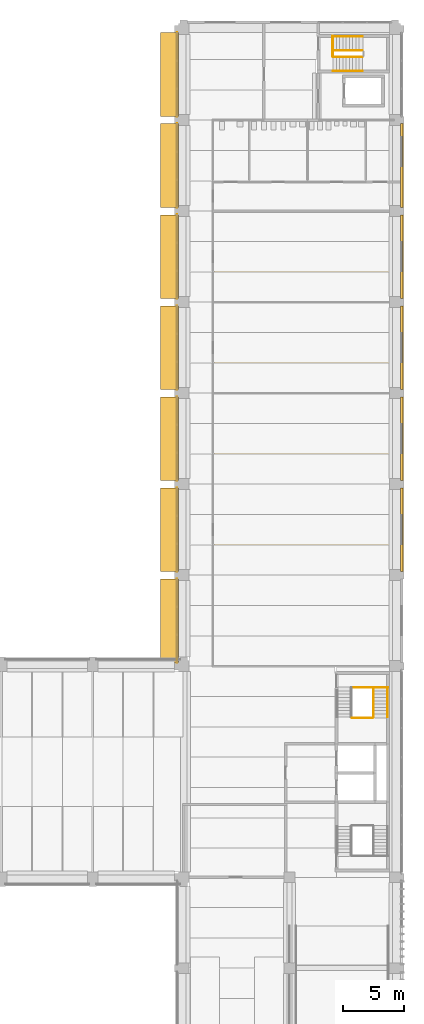
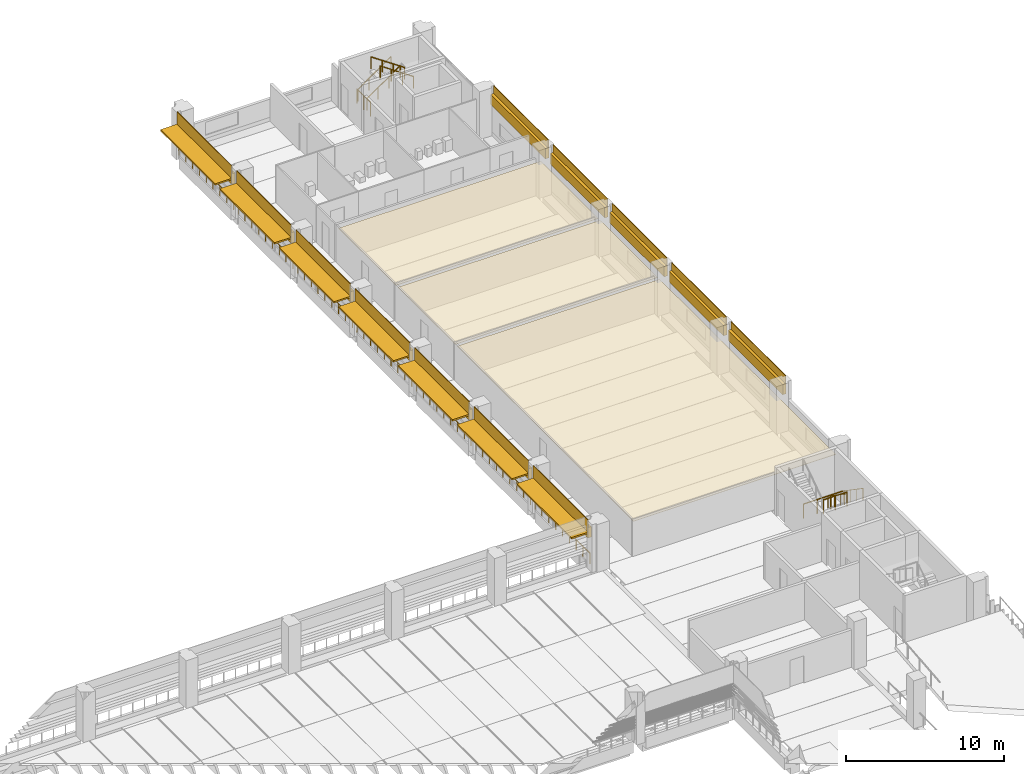
# One storey, part 51 of 57: 16 railings, 15 coverings, 7 shading devices.
"""IFC4 building model written with IfcOpenShell, lengths in metres."""

from ifc_helpers import new_model, si_unit, direction, frame, origin, origin_2d, place, context, subcontext, project, spatial, polyline, circle, outline, extrude, material, layer, layer_set, type_object, element, save


model = new_model("IFC4")

# Units and contexts
model_context = context("Model", 3, precision=1e-05, world=origin(), true_north=direction((0.0, 1.0)))
body_context = subcontext(model_context, "Body", "Model", "MODEL_VIEW")
ifc_project = project(units=[si_unit("LENGTHUNIT", "METRE"), si_unit("AREAUNIT", "SQUARE_METRE"), si_unit("VOLUMEUNIT", "CUBIC_METRE"), si_unit("PLANEANGLEUNIT", "RADIAN"), si_unit("MASSUNIT", "GRAM", prefix="KILO")], contexts=[model_context])

# Site, building, storey
site_placement = place(None, origin())
site = spatial("IfcSite", under=ifc_project, at=site_placement, CompositionType="ELEMENT")
building_placement = place(site_placement, origin())
building = spatial("IfcBuilding", under=site, at=building_placement, Name="Cour d'Honneur Mobility Palace", CompositionType="ELEMENT")
storey_placement = place(building_placement, frame((0.0, 0.0, 8.199951171875)))
storey = spatial("IfcBuildingStorey", under=building, at=storey_placement, Name="L02", CompositionType="ELEMENT", Elevation=8.199951171875)

# Railings
ifc_material_1 = material(Name="Painted steel", Category="steel")
railing_type_1 = type_object("IfcRailingType", Name="Balustrade", PredefinedType="BALUSTRADE", material=ifc_material_1)
for number, where, name in (
    (1, (144.35009765625, 114.60009765625, 0.300048828125), "Balustrade BAL-98"),
    (2, (144.35009765625, 107.10009765625, 0.300048828125), "Balustrade BAL-99"),
    (3, (144.35009765625, 99.60009765625, 0.300048828125), "Balustrade BAL-100"),
    (4, (144.35009765625, 92.10009765625, 0.300048828125), "Balustrade BAL-101"),
    (5, (144.35009765625, 84.60009765625, 0.300048828125), "Balustrade BAL-102"),
    (6, (144.35009765625, 77.10009765625, 0.300048828125), "Balustrade BAL-103"),
    (7, (144.35009765625, 69.60009765625, 0.300048828125), "Balustrade BAL-104"),
):
    element("IfcRailing", number, at=place(storey_placement, frame(where)), inside=storey, type_object=railing_type_1, Name=name, PredefinedType="BALUSTRADE", context=body_context, shape_type="SweptSolid", body=[
        extrude(circle(Radius=0.02392578125, at=origin_2d()), frame((0.0, 0.0, 0.77587890625), z_axis=(0.0, -1.0, 0.0), x_axis=(1.0, 0.0, 0.0)), (0.0, 0.0, 1.0), 6.900146484375),
        extrude(circle(Radius=0.02099609375, at=origin_2d()), origin(), (0.0, 0.0, 1.0), 0.751953125),
        extrude(circle(Radius=0.02099609375, at=origin_2d()), frame((0.0, -0.862548828125, 0.0)), (0.0, 0.0, 1.0), 0.751953125),
        extrude(circle(Radius=0.02099609375, at=origin_2d()), frame((0.0, -1.72509765625, 0.0)), (0.0, 0.0, 1.0), 0.751953125),
        extrude(circle(Radius=0.02099609375, at=origin_2d()), frame((0.0, -2.587646484375, 0.0)), (0.0, 0.0, 1.0), 0.751953125),
        extrude(circle(Radius=0.02099609375, at=origin_2d()), frame((0.0, -3.4501953125, 0.0)), (0.0, 0.0, 1.0), 0.751953125),
        extrude(circle(Radius=0.02099609375, at=origin_2d()), frame((0.0, -4.3125, 0.0)), (0.0, 0.0, 1.0), 0.751953125),
        extrude(circle(Radius=0.02099609375, at=origin_2d()), frame((0.0, -5.175048828125, 0.0)), (0.0, 0.0, 1.0), 0.751953125),
        extrude(circle(Radius=0.02099609375, at=origin_2d()), frame((0.0, -6.03759765625, 0.0)), (0.0, 0.0, 1.0), 0.751953125),
        extrude(circle(Radius=0.02099609375, at=origin_2d()), frame((0.0, -6.900146484375, 0.0)), (0.0, 0.0, 1.0), 0.751953125),
    ])
ifc_material_2 = material(Name="Painted steel", Category="steel")
railing_type_2 = type_object("IfcRailingType", Name="Guardrail 1100", PredefinedType="GUARDRAIL", material=ifc_material_2)
railing_1_placement = place(storey_placement, frame((158.75, 60.64501953125, 0.0)))
element("IfcRailing", 8, at=railing_1_placement, inside=storey, type_object=railing_type_2, Name="Guard ST-CE2", PredefinedType="GUARDRAIL", context=body_context, shape_type="SweptSolid", body=[
    extrude(circle(Radius=0.02490234375, at=origin_2d()), frame((0.0, 0.0, 1.0751953125), z_axis=(1.0, 0.0, 0.0), x_axis=(0.0, 1.0, 0.0)), (0.0, 0.0, 1.0), 2.97509765625),
    extrude(circle(Radius=0.02099609375, at=origin_2d()), origin(), (0.0, 0.0, 1.0), 1.050048828125),
    extrude(circle(Radius=0.02099609375, at=origin_2d()), frame((0.99169921875, 0.0, 0.0)), (0.0, 0.0, 1.0), 1.050048828125),
    extrude(circle(Radius=0.02099609375, at=origin_2d()), frame((1.9833984375, 0.0, 0.0)), (0.0, 0.0, 1.0), 1.050048828125),
    extrude(circle(Radius=0.02099609375, at=origin_2d()), frame((2.97509765625, 0.0, 0.0)), (0.0, 0.0, 1.0), 1.050048828125),
])
railing_2_placement = place(storey_placement, frame((158.75, 58.135009765625, 1.85009765625)))
element("IfcRailing", 9, at=railing_2_placement, inside=storey, type_object=railing_type_2, Name="Landing guard ST-CE2", PredefinedType="GUARDRAIL", context=body_context, shape_type="SweptSolid", body=[
    extrude(circle(Radius=0.02490234375, at=origin_2d()), frame((0.0, 0.0, 1.0751953125), z_axis=(1.0, 0.0, 0.0), x_axis=(0.0, 1.0, 0.0)), (0.0, 0.0, 1.0), 1.72509765625),
    extrude(circle(Radius=0.02099609375, at=origin_2d()), origin(), (0.0, 0.0, 1.0), 1.050048828125),
    extrude(circle(Radius=0.02099609375, at=origin_2d()), frame((0.862548828125, 0.0, 0.0)), (0.0, 0.0, 1.0), 1.050048828125),
    extrude(circle(Radius=0.02099609375, at=origin_2d()), frame((1.72509765625, 0.0, 0.0)), (0.0, 0.0, 1.0), 1.050048828125),
])
railing_3_placement = place(storey_placement, frame((157.179931640625, 112.64990234375, 0.0)))
element("IfcRailing", 10, at=railing_3_placement, inside=storey, type_object=railing_type_2, Name="Guard ST-NE1", PredefinedType="GUARDRAIL", context=body_context, shape_type="SweptSolid", body=[
    extrude(circle(Radius=0.02490234375, at=origin_2d()), frame((0.0, 0.0, 1.0751953125), z_axis=(0.0, 1.0, 0.0), x_axis=(-1.0, 0.0, 0.0)), (0.0, 0.0, 1.0), 1.675048828125),
    extrude(circle(Radius=0.02099609375, at=origin_2d()), origin(), (0.0, 0.0, 1.0), 1.050048828125),
    extrude(circle(Radius=0.02099609375, at=origin_2d()), frame((0.0, 0.83740234375, 0.0)), (0.0, 0.0, 1.0), 1.050048828125),
    extrude(circle(Radius=0.02099609375, at=origin_2d()), frame((0.0, 1.675048828125, 0.0)), (0.0, 0.0, 1.0), 1.050048828125),
])
ifc_material_3 = material(Name="Stainless steel", Category="steel")
railing_type_3 = type_object("IfcRailingType", Name="Handrail round 50", PredefinedType="HANDRAIL", material=ifc_material_3)
for number, where, name in (
    (11, (161.675048828125, 60.625, 0.18505859375), "Handrail ST-CE2"),
    (12, (160.52490234375, 60.625, 0.18505859375), "Handrail ST-CE2"),
):
    element("IfcRailing", number, at=place(storey_placement, frame(where)), inside=storey, type_object=railing_type_3, Name=name, PredefinedType="HANDRAIL", context=body_context, shape_type="SweptSolid", body=[
        extrude(circle(Radius=0.02490234375, at=origin_2d()), frame((0.0, 0.0, 0.89501953125), z_axis=(0.0, -0.8249187745, 0.56525128525), x_axis=(1.0, 0.0, 0.0)), (0.0, 0.0, 1.0), 2.945556640625),
        extrude(circle(Radius=0.02099609375, at=origin_2d()), origin(), (0.0, 0.0, 1.0), 0.869873046875),
        extrude(circle(Radius=0.02099609375, at=origin_2d()), frame((0.0, -0.81005859375, 0.554931640625)), (0.0, 0.0, 1.0), 0.869873046875),
        extrude(circle(Radius=0.02099609375, at=origin_2d()), frame((0.0, -1.619873046875, 1.110107421875)), (0.0, 0.0, 1.0), 0.869873046875),
        extrude(circle(Radius=0.02099609375, at=origin_2d()), frame((0.0, -2.429931640625, 1.6650390625)), (0.0, 0.0, 1.0), 0.869873046875),
    ])
for number, where, name in (
    (13, (157.199951171875, 114.27490234375, 0.18505859375), "Handrail ST-NE1"),
    (14, (157.199951171875, 113.125, 0.18505859375), "Handrail ST-NE1"),
):
    element("IfcRailing", number, at=place(storey_placement, frame(where)), inside=storey, type_object=railing_type_3, Name=name, PredefinedType="HANDRAIL", context=body_context, shape_type="SweptSolid", body=[
        extrude(circle(Radius=0.02490234375, at=origin_2d()), frame((0.0, 0.0, 0.89501953125), z_axis=(0.8249187745, 0.0, 0.56525128525), x_axis=(0.0, 1.0, 0.0)), (0.0, 0.0, 1.0), 2.945556640625),
        extrude(circle(Radius=0.02099609375, at=origin_2d()), origin(), (0.0, 0.0, 1.0), 0.869873046875),
        extrude(circle(Radius=0.02099609375, at=origin_2d()), frame((0.81005859375, 0.0, 0.554931640625)), (0.0, 0.0, 1.0), 0.869873046875),
        extrude(circle(Radius=0.02099609375, at=origin_2d()), frame((1.619873046875, 0.0, 1.110107421875)), (0.0, 0.0, 1.0), 0.869873046875),
        extrude(circle(Radius=0.02099609375, at=origin_2d()), frame((2.429931640625, 0.0, 1.6650390625)), (0.0, 0.0, 1.0), 0.869873046875),
    ])
for number, where, name in (
    (15, (159.6298828125, 112.60009765625, 2.03515625), "Handrail ST-NE1"),
    (16, (159.6298828125, 111.449951171875, 2.03515625), "Handrail ST-NE1"),
):
    element("IfcRailing", number, at=place(storey_placement, frame(where)), inside=storey, type_object=railing_type_3, Name=name, PredefinedType="HANDRAIL", context=body_context, shape_type="SweptSolid", body=[
        extrude(circle(Radius=0.02490234375, at=origin_2d()), frame((0.0, 0.0, 0.89501953125), z_axis=(-0.824957420862, 0.0, 0.565194881227), x_axis=(0.0, -1.0, 0.0)), (0.0, 0.0, 1.0), 2.945556640625),
        extrude(circle(Radius=0.02099609375, at=origin_2d()), origin(), (0.0, 0.0, 1.0), 0.869873046875),
        extrude(circle(Radius=0.02099609375, at=origin_2d()), frame((-0.81005859375, 0.0, 0.554931640625)), (0.0, 0.0, 1.0), 0.869873046875),
        extrude(circle(Radius=0.02099609375, at=origin_2d()), frame((-1.619873046875, 0.0, 1.10986328125)), (0.0, 0.0, 1.0), 0.869873046875),
        extrude(circle(Radius=0.02099609375, at=origin_2d()), frame((-2.429931640625, 0.0, 1.664794921875)), (0.0, 0.0, 1.0), 0.869873046875),
    ])

# Coverings
ifc_material_4 = material(Name="Cast limestone", Category="masonry")
ifc_layer_1 = layer(ifc_material_4, 0.25)
ifc_layer_set_1 = layer_set([ifc_layer_1], Name="Cast limestone")
covering_type_1 = type_object("IfcCoveringType", Name="Spandrel cladding", PredefinedType="CLADDING", material=ifc_layer_set_1)
for number, where, z_axis, x_axis, name in (
    (17, (162.75, 70.199951171875, 2.300048828125), (0.0, -1.0, 0.0), (1.0, 0.0, 0.0), "Spandrel cladding SK-164"),
    (18, (162.75, 77.699951171875, 2.300048828125), (0.0, -1.0, 0.0), (1.0, 0.0, 0.0), "Spandrel cladding SK-165"),
    (19, (162.75, 85.199951171875, 2.300048828125), (0.0, -1.0, 0.0), (1.0, 0.0, 0.0), "Spandrel cladding SK-166"),
    (20, (162.75, 92.699951171875, 2.300048828125), (0.0, -1.0, 0.0), (1.0, 0.0, 0.0), "Spandrel cladding SK-167"),
    (21, (162.75, 100.199951171875, 2.300048828125), (0.0, -1.0, 0.0), (1.0, 0.0, 0.0), "Spandrel cladding SK-168"),
    (22, (144.449951171875, 114.60009765625, 2.300048828125), (0.0, 1.0, 0.0), (-1.0, 0.0, 0.0), "Spandrel cladding SK-169"),
    (23, (144.449951171875, 107.10009765625, 2.300048828125), (0.0, 1.0, 0.0), (-1.0, 0.0, 0.0), "Spandrel cladding SK-170"),
    (24, (144.449951171875, 99.60009765625, 2.300048828125), (0.0, 1.0, 0.0), (-1.0, 0.0, 0.0), "Spandrel cladding SK-171"),
    (25, (144.449951171875, 92.10009765625, 2.300048828125), (0.0, 1.0, 0.0), (-1.0, 0.0, 0.0), "Spandrel cladding SK-172"),
    (26, (144.449951171875, 84.60009765625, 2.300048828125), (0.0, 1.0, 0.0), (-1.0, 0.0, 0.0), "Spandrel cladding SK-173"),
    (27, (144.449951171875, 77.10009765625, 2.300048828125), (0.0, 1.0, 0.0), (-1.0, 0.0, 0.0), "Spandrel cladding SK-174"),
    (28, (144.449951171875, 69.60009765625, 2.300048828125), (0.0, 1.0, 0.0), (-1.0, 0.0, 0.0), "Spandrel cladding SK-175"),
):
    element("IfcCovering", number, at=place(storey_placement, frame(where, z_axis=z_axis, x_axis=x_axis)), inside=storey, type_object=covering_type_1, Name=name, PredefinedType="CLADDING", context=body_context, shape_type="SweptSolid", body=[
        extrude(outline(polyline([(0.0, 0.0), (0.25, 0.0), (0.25, 1.39990234375), (0.199951171875, 1.39990234375), (0.199951171875, 0.800048828125), (0.0, 0.800048828125), (0.0, 0.0)])), origin(), (0.0, 0.0, -1.0), 6.89990234375),
    ])

# Shading devices
ifc_material_5 = material(Name="Anodised aluminium", Category="aluminium")
ifc_layer_2 = layer(ifc_material_5, 0.1201171875)
ifc_layer_set_2 = layer_set([ifc_layer_2], Name="Anodised aluminium")
shading_device_type = type_object("IfcShadingDeviceType", Name="Sunshade 1200", PredefinedType="AWNING", material=ifc_layer_set_2)
shading_device_1_placement = place(storey_placement, frame((0.0, 0.0, 2.630126953125)))
element("IfcShadingDevice", 29, at=shading_device_1_placement, inside=storey, type_object=shading_device_type, Name="Sunshade W7.0 L02", PredefinedType="AWNING", context=body_context, shape_type="SweptSolid", body=[
    extrude(outline(polyline([(144.199951171875, 114.60009765625), (144.199951171875, 107.699951171875), (143.0, 107.699951171875), (143.0, 114.60009765625), (144.199951171875, 114.60009765625)])), origin(), (0.0, 0.0, 1.0), 0.119873046875),
])
shading_device_2_placement = place(storey_placement, frame((0.0, 0.0, 2.630126953125)))
element("IfcShadingDevice", 30, at=shading_device_2_placement, inside=storey, type_object=shading_device_type, Name="Sunshade W7.1 L02", PredefinedType="AWNING", context=body_context, shape_type="SweptSolid", body=[
    extrude(outline(polyline([(144.199951171875, 107.10009765625), (144.199951171875, 100.199951171875), (143.0, 100.199951171875), (143.0, 107.10009765625), (144.199951171875, 107.10009765625)])), origin(), (0.0, 0.0, 1.0), 0.119873046875),
])
shading_device_3_placement = place(storey_placement, frame((0.0, 0.0, 2.630126953125)))
element("IfcShadingDevice", 31, at=shading_device_3_placement, inside=storey, type_object=shading_device_type, Name="Sunshade W7.2 L02", PredefinedType="AWNING", context=body_context, shape_type="SweptSolid", body=[
    extrude(outline(polyline([(144.199951171875, 99.60009765625), (144.199951171875, 92.699951171875), (143.0, 92.699951171875), (143.0, 99.60009765625), (144.199951171875, 99.60009765625)])), origin(), (0.0, 0.0, 1.0), 0.119873046875),
])
shading_device_4_placement = place(storey_placement, frame((0.0, 0.0, 2.630126953125)))
element("IfcShadingDevice", 32, at=shading_device_4_placement, inside=storey, type_object=shading_device_type, Name="Sunshade W7.3 L02", PredefinedType="AWNING", context=body_context, shape_type="SweptSolid", body=[
    extrude(outline(polyline([(144.199951171875, 92.10009765625), (144.199951171875, 85.199951171875), (143.0, 85.199951171875), (143.0, 92.10009765625), (144.199951171875, 92.10009765625)])), origin(), (0.0, 0.0, 1.0), 0.119873046875),
])
shading_device_5_placement = place(storey_placement, frame((0.0, 0.0, 2.630126953125)))
element("IfcShadingDevice", 33, at=shading_device_5_placement, inside=storey, type_object=shading_device_type, Name="Sunshade W7.4 L02", PredefinedType="AWNING", context=body_context, shape_type="SweptSolid", body=[
    extrude(outline(polyline([(144.199951171875, 84.60009765625), (144.199951171875, 77.699951171875), (143.0, 77.699951171875), (143.0, 84.60009765625), (144.199951171875, 84.60009765625)])), origin(), (0.0, 0.0, 1.0), 0.119873046875),
])
shading_device_6_placement = place(storey_placement, frame((0.0, 0.0, 2.630126953125)))
element("IfcShadingDevice", 34, at=shading_device_6_placement, inside=storey, type_object=shading_device_type, Name="Sunshade W7.5 L02", PredefinedType="AWNING", context=body_context, shape_type="SweptSolid", body=[
    extrude(outline(polyline([(144.199951171875, 77.10009765625), (144.199951171875, 70.199951171875), (143.0, 70.199951171875), (143.0, 77.10009765625), (144.199951171875, 77.10009765625)])), origin(), (0.0, 0.0, 1.0), 0.119873046875),
])
shading_device_7_placement = place(storey_placement, frame((0.0, 0.0, 2.630126953125)))
element("IfcShadingDevice", 35, at=shading_device_7_placement, inside=storey, type_object=shading_device_type, Name="Sunshade W7.6 L02", PredefinedType="AWNING", context=body_context, shape_type="SweptSolid", body=[
    extrude(outline(polyline([(144.199951171875, 69.60009765625), (144.199951171875, 62.699951171875), (143.0, 62.699951171875), (143.0, 69.60009765625), (144.199951171875, 69.60009765625)])), origin(), (0.0, 0.0, 1.0), 0.119873046875),
])

# Coverings
ifc_material_6 = material(Name="Suspended ceiling")
ifc_layer_3 = layer(ifc_material_6, 0.030029296875)
ifc_layer_set_3 = layer_set([ifc_layer_3], Name="Suspended ceiling")
covering_type_2 = type_object("IfcCoveringType", Name="Suspended ceiling", PredefinedType="CEILING", material=ifc_layer_set_3)
covering_1_placement = place(storey_placement, frame((0.0, 0.0, 2.550048828125)))
element("IfcCovering", 36, at=covering_1_placement, inside=storey, type_object=covering_type_2, Name="Ceiling Mobility Operations Centre", PredefinedType="CEILING", context=body_context, shape_type="SweptSolid", body=[
    extrude(outline(polyline([(162.179931640625, 62.52001953125), (147.419921875, 62.52001953125), (147.419921875, 84.780029296875), (162.179931640625, 84.780029296875), (162.179931640625, 62.52001953125)])), origin(), (0.0, 0.0, 1.0), 0.030029296875),
])
covering_2_placement = place(storey_placement, frame((0.0, 0.0, 2.550048828125)))
element("IfcCovering", 37, at=covering_2_placement, inside=storey, type_object=covering_type_2, Name="Ceiling Driver Training Room 1", PredefinedType="CEILING", context=body_context, shape_type="SweptSolid", body=[
    extrude(outline(polyline([(162.179931640625, 85.02001953125), (147.419921875, 85.02001953125), (147.419921875, 92.280029296875), (162.179931640625, 92.280029296875), (162.179931640625, 85.02001953125)])), origin(), (0.0, 0.0, 1.0), 0.030029296875),
])
covering_3_placement = place(storey_placement, frame((0.0, 0.0, 2.550048828125)))
element("IfcCovering", 38, at=covering_3_placement, inside=storey, type_object=covering_type_2, Name="Ceiling Driver Training Room 2", PredefinedType="CEILING", context=body_context, shape_type="SweptSolid", body=[
    extrude(outline(polyline([(162.179931640625, 92.52001953125), (147.419921875, 92.52001953125), (147.419921875, 99.780029296875), (162.179931640625, 99.780029296875), (162.179931640625, 92.52001953125)])), origin(), (0.0, 0.0, 1.0), 0.030029296875),
])

save(model, "model.ifc")
